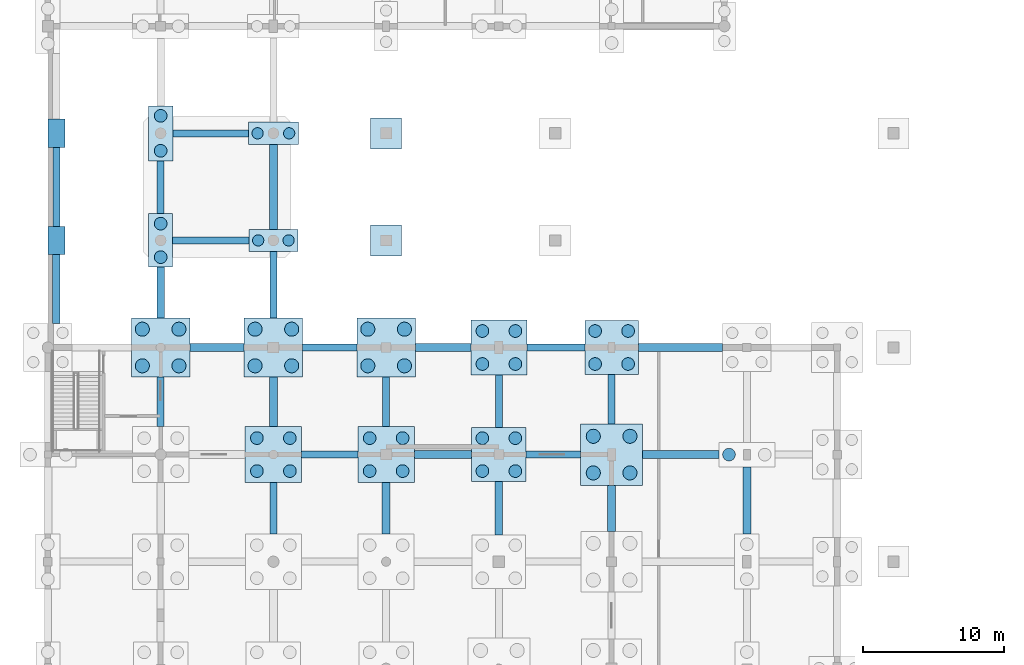
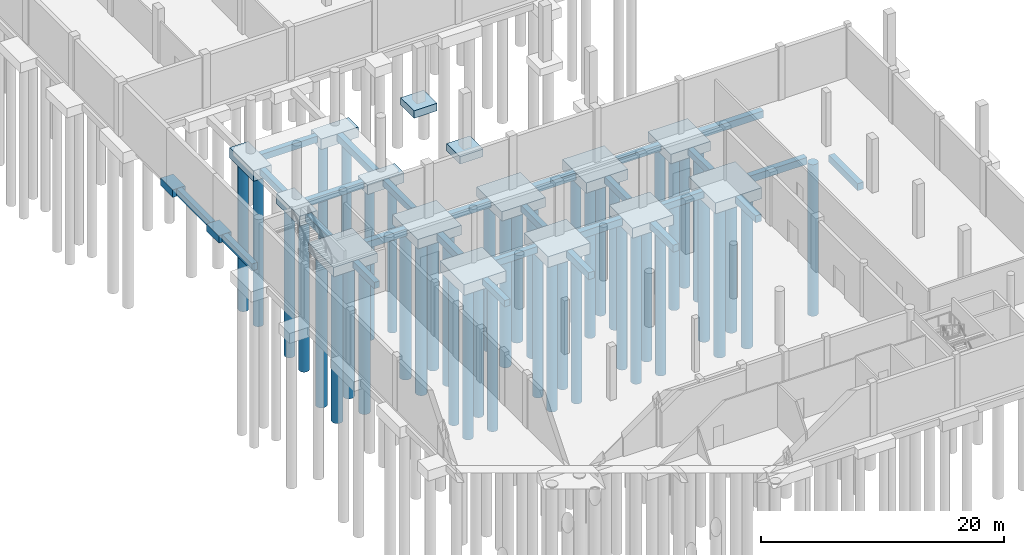
# One storey, part 4 of 44: 45 piles, 44 footings.
"""IFC4 building model written with IfcOpenShell, lengths in metres."""

from ifc_helpers import new_model, si_unit, direction, frame, origin, origin_2d, place, context, subcontext, project, spatial, polyline, circle, outline, extrude, material, material_profile, profile_set, type_object, element, save


model = new_model("IFC4")

# Units and contexts
model_context = context("Model", 3, precision=1e-05, world=origin(), true_north=direction((0.0, 1.0)))
body_context = subcontext(model_context, "Body", "Model", "MODEL_VIEW")
ifc_project = project(units=[si_unit("LENGTHUNIT", "METRE"), si_unit("AREAUNIT", "SQUARE_METRE"), si_unit("VOLUMEUNIT", "CUBIC_METRE"), si_unit("PLANEANGLEUNIT", "RADIAN"), si_unit("MASSUNIT", "GRAM", prefix="KILO")], contexts=[model_context])

# Site, building, storey
site_placement = place(None, origin())
site = spatial("IfcSite", under=ifc_project, at=site_placement, CompositionType="ELEMENT")
building_placement = place(site_placement, origin())
building = spatial("IfcBuilding", under=site, at=building_placement, Name="Khelvaren Railside Concert Hall", CompositionType="ELEMENT")
storey_placement = place(building_placement, frame((0.0, 0.0, -5.39990234375)))
storey = spatial("IfcBuildingStorey", under=building, at=storey_placement, Name="B1", CompositionType="ELEMENT", Elevation=-5.39990234375)

# Piles
ifc_material = material(Name="Concrete C35/45", Category="concrete")
ifc_material_profile_1 = material_profile(ifc_material, circle(Radius=0.449951171875, at=origin_2d()), Name="BP D900")
ifc_profile_set_1 = profile_set([ifc_material_profile_1], Name="Concrete C35/45")
pile_type_1 = type_object("IfcPileType", Name="BP51", PredefinedType="BORED", material=ifc_profile_set_1)
for number, where, z_axis, x_axis, name in (
    (1, (8.0, 52.010009765625, -1.400146484375), (0.0, 0.0, -1.0), (1.0, 0.0, 0.0), "Bored Pile BP51 PC-LB3-021-1"),
    (2, (8.0, 54.389892578125, -1.400146484375), (0.0, 0.0, -1.0), (1.0, 0.0, 0.0), "Bored Pile BP51 PC-LB3-021-2"),
):
    element("IfcPile", number, at=place(storey_placement, frame(where, z_axis=z_axis, x_axis=x_axis)), inside=storey, type_object=pile_type_1, Name=name, PredefinedType="BORED", context=body_context, shape_type="SweptSolid", body=[
        extrude(circle(Radius=0.449951171875, at=origin_2d()), origin(), (0.0, 0.0, 1.0), 15.199951171875),
    ])
for number, where, z_axis, x_axis, name in (
    (3, (8.0, 59.56005859375, -1.4501953125), (0.0, 0.0, -1.0), (1.0, 0.0, 0.0), "Bored Pile BP51 PC-LB3-022-1"),
    (4, (8.0, 62.0400390625, -1.4501953125), (0.0, 0.0, -1.0), (1.0, 0.0, 0.0), "Bored Pile BP51 PC-LB3-022-2"),
):
    element("IfcPile", number, at=place(storey_placement, frame(where, z_axis=z_axis, x_axis=x_axis)), inside=storey, type_object=pile_type_1, Name=name, PredefinedType="BORED", context=body_context, shape_type="SweptSolid", body=[
        extrude(circle(Radius=0.449951171875, at=origin_2d()), origin(), (0.0, 0.0, 1.0), 15.14990234375),
    ])
for number, where, z_axis, x_axis, name in (
    (5, (14.830078125, 36.830078125, -1.5), (0.0, 0.0, -1.0), (1.0, 0.0, 0.0), "Bored Pile BP51 PC-V1-035-1"),
    (6, (17.169921875, 36.830078125, -1.5), (0.0, 0.0, -1.0), (1.0, 0.0, 0.0), "Bored Pile BP51 PC-V1-035-2"),
    (7, (14.830078125, 39.169921875, -1.5), (0.0, 0.0, -1.0), (1.0, 0.0, 0.0), "Bored Pile BP51 PC-V1-035-3"),
    (8, (17.169921875, 39.169921875, -1.5), (0.0, 0.0, -1.0), (1.0, 0.0, 0.0), "Bored Pile BP51 PC-V1-035-4"),
    (9, (22.830078125, 36.830078125, -1.5), (0.0, 0.0, -1.0), (1.0, 0.0, 0.0), "Bored Pile BP51 PC-V1-051-1"),
    (10, (25.169921875, 36.830078125, -1.5), (0.0, 0.0, -1.0), (1.0, 0.0, 0.0), "Bored Pile BP51 PC-V1-051-2"),
    (11, (22.830078125, 39.169921875, -1.5), (0.0, 0.0, -1.0), (1.0, 0.0, 0.0), "Bored Pile BP51 PC-V1-051-3"),
    (12, (25.169921875, 39.169921875, -1.5), (0.0, 0.0, -1.0), (1.0, 0.0, 0.0), "Bored Pile BP51 PC-V1-051-4"),
):
    element("IfcPile", number, at=place(storey_placement, frame(where, z_axis=z_axis, x_axis=x_axis)), inside=storey, type_object=pile_type_1, Name=name, PredefinedType="BORED", context=body_context, shape_type="SweptSolid", body=[
        extrude(circle(Radius=0.449951171875, at=origin_2d()), origin(), (0.0, 0.0, 1.0), 15.10009765625),
    ])
for number, where, z_axis, x_axis, name in (
    (13, (30.830078125, 36.830078125, -1.400146484375), (0.0, 0.0, -1.0), (1.0, 0.0, 0.0), "Bored Pile BP51 PC-V1-065-1"),
    (14, (33.169921875, 36.830078125, -1.400146484375), (0.0, 0.0, -1.0), (1.0, 0.0, 0.0), "Bored Pile BP51 PC-V1-065-2"),
    (15, (30.830078125, 39.169921875, -1.400146484375), (0.0, 0.0, -1.0), (1.0, 0.0, 0.0), "Bored Pile BP51 PC-V1-065-3"),
    (16, (33.169921875, 39.169921875, -1.400146484375), (0.0, 0.0, -1.0), (1.0, 0.0, 0.0), "Bored Pile BP51 PC-V1-065-4"),
):
    element("IfcPile", number, at=place(storey_placement, frame(where, z_axis=z_axis, x_axis=x_axis)), inside=storey, type_object=pile_type_1, Name=name, PredefinedType="BORED", context=body_context, shape_type="SweptSolid", body=[
        extrude(circle(Radius=0.449951171875, at=origin_2d()), origin(), (0.0, 0.0, 1.0), 15.199951171875),
    ])
for number, where, z_axis, x_axis, name in (
    (17, (30.830078125, 44.429931640625, -1.4501953125), (0.0, 0.0, -1.0), (1.0, 0.0, 0.0), "Bored Pile BP51 PC-V1-066-1"),
    (18, (33.169921875, 44.429931640625, -1.4501953125), (0.0, 0.0, -1.0), (1.0, 0.0, 0.0), "Bored Pile BP51 PC-V1-066-2"),
    (19, (30.830078125, 46.77001953125, -1.4501953125), (0.0, 0.0, -1.0), (1.0, 0.0, 0.0), "Bored Pile BP51 PC-V1-066-3"),
    (20, (33.169921875, 46.77001953125, -1.4501953125), (0.0, 0.0, -1.0), (1.0, 0.0, 0.0), "Bored Pile BP51 PC-V1-066-4"),
):
    element("IfcPile", number, at=place(storey_placement, frame(where, z_axis=z_axis, x_axis=x_axis)), inside=storey, type_object=pile_type_1, Name=name, PredefinedType="BORED", context=body_context, shape_type="SweptSolid", body=[
        extrude(circle(Radius=0.449951171875, at=origin_2d()), origin(), (0.0, 0.0, 1.0), 15.14990234375),
    ])
for number, where, z_axis, x_axis, name in (
    (21, (38.830078125, 44.429931640625, -1.35009765625), (0.0, 0.0, -1.0), (1.0, 0.0, 0.0), "Bored Pile BP51 PC-V1-080-1"),
    (22, (41.169921875, 44.429931640625, -1.35009765625), (0.0, 0.0, -1.0), (1.0, 0.0, 0.0), "Bored Pile BP51 PC-V1-080-2"),
    (23, (38.830078125, 46.77001953125, -1.35009765625), (0.0, 0.0, -1.0), (1.0, 0.0, 0.0), "Bored Pile BP51 PC-V1-080-3"),
    (24, (41.169921875, 46.77001953125, -1.35009765625), (0.0, 0.0, -1.0), (1.0, 0.0, 0.0), "Bored Pile BP51 PC-V1-080-4"),
    (25, (48.330078125, 38.0, -1.35009765625), (0.0, 0.0, -1.0), (1.0, 0.0, 0.0), "Bored Pile BP51 PC-V1-100-1"),
):
    element("IfcPile", number, at=place(storey_placement, frame(where, z_axis=z_axis, x_axis=x_axis)), inside=storey, type_object=pile_type_1, Name=name, PredefinedType="BORED", context=body_context, shape_type="SweptSolid", body=[
        extrude(circle(Radius=0.449951171875, at=origin_2d()), origin(), (0.0, 0.0, 1.0), 15.25),
    ])
ifc_material_profile_2 = material_profile(ifc_material, circle(Radius=0.39990234375, at=origin_2d()), Name="BP D800")
ifc_profile_set_2 = profile_set([ifc_material_profile_2], Name="Concrete C35/45")
pile_type_2 = type_object("IfcPileType", Name="BP84", PredefinedType="BORED", material=ifc_profile_set_2)
for number, where, z_axis, x_axis, name in (
    (26, (14.919921875, 53.199951171875, -1.400146484375), (0.0, 0.0, -1.0), (1.0, 0.0, 0.0), "Bored Pile BP84 PC-LB3-037-1"),
    (27, (17.080078125, 53.199951171875, -1.400146484375), (0.0, 0.0, -1.0), (1.0, 0.0, 0.0), "Bored Pile BP84 PC-LB3-037-2"),
):
    element("IfcPile", number, at=place(storey_placement, frame(where, z_axis=z_axis, x_axis=x_axis)), inside=storey, type_object=pile_type_2, Name=name, PredefinedType="BORED", context=body_context, shape_type="SweptSolid", body=[
        extrude(circle(Radius=0.39990234375, at=origin_2d()), origin(), (0.0, 0.0, 1.0), 15.199951171875),
    ])
for number, where, z_axis, x_axis, name in (
    (28, (14.8798828125, 60.800048828125, -1.4501953125), (0.0, 0.0, -1.0), (1.0, 0.0, 0.0), "Bored Pile BP84 PC-LB3-038-1"),
    (29, (17.1201171875, 60.800048828125, -1.4501953125), (0.0, 0.0, -1.0), (1.0, 0.0, 0.0), "Bored Pile BP84 PC-LB3-038-2"),
):
    element("IfcPile", number, at=place(storey_placement, frame(where, z_axis=z_axis, x_axis=x_axis)), inside=storey, type_object=pile_type_2, Name=name, PredefinedType="BORED", context=body_context, shape_type="SweptSolid", body=[
        extrude(circle(Radius=0.39990234375, at=origin_2d()), origin(), (0.0, 0.0, 1.0), 15.14990234375),
    ])
ifc_material_profile_3 = material_profile(ifc_material, circle(Radius=0.5, at=origin_2d()), Name="BP D1000")
ifc_profile_set_3 = profile_set([ifc_material_profile_3], Name="Concrete C35/45")
pile_type_3 = type_object("IfcPileType", Name="BP88", PredefinedType="BORED", material=ifc_profile_set_3)
for number, where, z_axis, x_axis, name in (
    (30, (6.699951171875, 44.300048828125, -1.35009765625), (0.0, 0.0, -1.0), (1.0, 0.0, 0.0), "Bored Pile BP88 PC-V1-020-1"),
    (31, (9.300048828125, 44.300048828125, -1.35009765625), (0.0, 0.0, -1.0), (1.0, 0.0, 0.0), "Bored Pile BP88 PC-V1-020-2"),
    (32, (6.699951171875, 46.89990234375, -1.35009765625), (0.0, 0.0, -1.0), (1.0, 0.0, 0.0), "Bored Pile BP88 PC-V1-020-3"),
    (33, (9.300048828125, 46.89990234375, -1.35009765625), (0.0, 0.0, -1.0), (1.0, 0.0, 0.0), "Bored Pile BP88 PC-V1-020-4"),
    (34, (14.699951171875, 44.300048828125, -1.35009765625), (0.0, 0.0, -1.0), (1.0, 0.0, 0.0), "Bored Pile BP88 PC-V1-036-1"),
    (35, (17.300048828125, 44.300048828125, -1.35009765625), (0.0, 0.0, -1.0), (1.0, 0.0, 0.0), "Bored Pile BP88 PC-V1-036-2"),
    (36, (14.699951171875, 46.89990234375, -1.35009765625), (0.0, 0.0, -1.0), (1.0, 0.0, 0.0), "Bored Pile BP88 PC-V1-036-3"),
    (37, (17.300048828125, 46.89990234375, -1.35009765625), (0.0, 0.0, -1.0), (1.0, 0.0, 0.0), "Bored Pile BP88 PC-V1-036-4"),
    (38, (22.699951171875, 44.300048828125, -1.35009765625), (0.0, 0.0, -1.0), (1.0, 0.0, 0.0), "Bored Pile BP88 PC-V1-052-1"),
    (39, (25.300048828125, 44.300048828125, -1.35009765625), (0.0, 0.0, -1.0), (1.0, 0.0, 0.0), "Bored Pile BP88 PC-V1-052-2"),
    (40, (22.699951171875, 46.89990234375, -1.35009765625), (0.0, 0.0, -1.0), (1.0, 0.0, 0.0), "Bored Pile BP88 PC-V1-052-3"),
    (41, (25.300048828125, 46.89990234375, -1.35009765625), (0.0, 0.0, -1.0), (1.0, 0.0, 0.0), "Bored Pile BP88 PC-V1-052-4"),
):
    element("IfcPile", number, at=place(storey_placement, frame(where, z_axis=z_axis, x_axis=x_axis)), inside=storey, type_object=pile_type_3, Name=name, PredefinedType="BORED", context=body_context, shape_type="SweptSolid", body=[
        extrude(circle(Radius=0.5, at=origin_2d()), origin(), (0.0, 0.0, 1.0), 15.25),
    ])
for number, where, z_axis, x_axis, name in (
    (42, (38.699951171875, 36.699951171875, -1.5), (0.0, 0.0, -1.0), (1.0, 0.0, 0.0), "Bored Pile BP88 PC-V1-079-1"),
    (43, (41.300048828125, 36.699951171875, -1.5), (0.0, 0.0, -1.0), (1.0, 0.0, 0.0), "Bored Pile BP88 PC-V1-079-2"),
    (44, (38.699951171875, 39.300048828125, -1.5), (0.0, 0.0, -1.0), (1.0, 0.0, 0.0), "Bored Pile BP88 PC-V1-079-3"),
    (45, (41.300048828125, 39.300048828125, -1.5), (0.0, 0.0, -1.0), (1.0, 0.0, 0.0), "Bored Pile BP88 PC-V1-079-4"),
):
    element("IfcPile", number, at=place(storey_placement, frame(where, z_axis=z_axis, x_axis=x_axis)), inside=storey, type_object=pile_type_3, Name=name, PredefinedType="BORED", context=body_context, shape_type="SweptSolid", body=[
        extrude(circle(Radius=0.5, at=origin_2d()), origin(), (0.0, 0.0, 1.0), 15.10009765625),
    ])

# Footings
footing_type_1 = type_object("IfcFootingType", Name="GB49", PredefinedType="FOOTING_BEAM", material=ifc_material)
footing_1_placement = place(storey_placement, frame((0.0, 0.0, -1.150146484375)))
element("IfcFooting", 46, at=footing_1_placement, inside=storey, type_object=footing_type_1, Name="Ground Tie Beam GB49 107", PredefinedType="FOOTING_BEAM", context=body_context, shape_type="SweptSolid", body=[
    extrude(outline(polyline([(18.0, 37.75), (22.0, 37.75), (22.0, 38.25), (18.0, 38.25), (18.0, 37.75)])), origin(), (0.0, 0.0, 1.0), 0.650146484375),
])
footing_2_placement = place(storey_placement, frame((0.0, 0.0, -1.150146484375)))
element("IfcFooting", 47, at=footing_2_placement, inside=storey, type_object=footing_type_1, Name="Ground Tie Beam GB49 109", PredefinedType="FOOTING_BEAM", context=body_context, shape_type="SweptSolid", body=[
    extrude(outline(polyline([(33.93994140625, 37.75), (37.800048828125, 37.75), (37.800048828125, 38.25), (33.93994140625, 38.25), (33.93994140625, 37.75)])), origin(), (0.0, 0.0, 1.0), 0.650146484375),
])
footing_3_placement = place(storey_placement, frame((0.0, 0.0, -1.150146484375)))
element("IfcFooting", 48, at=footing_3_placement, inside=storey, type_object=footing_type_1, Name="Ground Tie Beam GB49 119", PredefinedType="FOOTING_BEAM", context=body_context, shape_type="SweptSolid", body=[
    extrude(outline(polyline([(18.080078125, 45.35009765625), (21.919921875, 45.35009765625), (21.919921875, 45.85009765625), (18.080078125, 45.85009765625), (18.080078125, 45.35009765625)])), origin(), (0.0, 0.0, 1.0), 0.650146484375),
])
footing_4_placement = place(storey_placement, frame((0.0, 0.0, -1.150146484375)))
element("IfcFooting", 49, at=footing_4_placement, inside=storey, type_object=footing_type_1, Name="Ground Tie Beam GB49 121", PredefinedType="FOOTING_BEAM", context=body_context, shape_type="SweptSolid", body=[
    extrude(outline(polyline([(33.97998046875, 45.35009765625), (38.10009765625, 45.35009765625), (38.10009765625, 45.85009765625), (33.97998046875, 45.85009765625), (33.97998046875, 45.35009765625)])), origin(), (0.0, 0.0, 1.0), 0.650146484375),
])
footing_5_placement = place(storey_placement, frame((0.0, 0.0, -1.150146484375)))
element("IfcFooting", 50, at=footing_5_placement, inside=storey, type_object=footing_type_1, Name="Ground Tie Beam GB49 125", PredefinedType="FOOTING_BEAM", context=body_context, shape_type="SweptSolid", body=[
    extrude(outline(polyline([(8.85009765625, 52.949951171875), (14.260009765625, 52.949951171875), (14.260009765625, 53.449951171875), (8.85009765625, 53.449951171875), (8.85009765625, 52.949951171875)])), origin(), (0.0, 0.0, 1.0), 0.650146484375),
])
footing_6_placement = place(storey_placement, frame((0.0, 0.0, -1.150146484375)))
element("IfcFooting", 51, at=footing_6_placement, inside=storey, type_object=footing_type_1, Name="Ground Tie Beam GB49 127", PredefinedType="FOOTING_BEAM", context=body_context, shape_type="SweptSolid", body=[
    extrude(outline(polyline([(8.875, 60.550048828125), (14.219970703125, 60.550048828125), (14.219970703125, 61.050048828125), (8.875, 61.050048828125), (8.875, 60.550048828125)])), origin(), (0.0, 0.0, 1.0), 0.650146484375),
])
footing_7_placement = place(storey_placement, frame((0.0, 0.0, -1.150146484375)))
element("IfcFooting", 52, at=footing_7_placement, inside=storey, type_object=footing_type_1, Name="Ground Tie Beam GB49 225", PredefinedType="FOOTING_BEAM", context=body_context, shape_type="SweptSolid", body=[
    extrude(outline(polyline([(7.75, 39.97998046875), (8.25, 39.97998046875), (8.25, 43.52001953125), (7.75, 43.52001953125), (7.75, 39.97998046875)])), origin(), (0.0, 0.0, 1.0), 0.650146484375),
])
footing_8_placement = place(storey_placement, frame((0.0, 0.0, -1.150146484375)))
element("IfcFooting", 53, at=footing_8_placement, inside=storey, type_object=footing_type_1, Name="Ground Tie Beam GB49 227", PredefinedType="FOOTING_BEAM", context=body_context, shape_type="SweptSolid", body=[
    extrude(outline(polyline([(7.75, 55.10009765625), (8.25, 55.10009765625), (8.25, 58.85009765625), (7.75, 58.85009765625), (7.75, 55.10009765625)])), origin(), (0.0, 0.0, 1.0), 0.650146484375),
])
footing_9_placement = place(storey_placement, frame((0.0, 0.0, -1.150146484375)))
element("IfcFooting", 54, at=footing_9_placement, inside=storey, type_object=footing_type_1, Name="Ground Tie Beam GB49 239", PredefinedType="FOOTING_BEAM", context=body_context, shape_type="SweptSolid", body=[
    extrude(outline(polyline([(15.75, 32.360107421875), (16.25, 32.360107421875), (16.25, 36.02001953125), (15.75, 36.02001953125), (15.75, 32.360107421875)])), origin(), (0.0, 0.0, 1.0), 0.650146484375),
])
footing_10_placement = place(storey_placement, frame((0.0, 0.0, -1.150146484375)))
element("IfcFooting", 55, at=footing_10_placement, inside=storey, type_object=footing_type_1, Name="Ground Tie Beam GB49 241", PredefinedType="FOOTING_BEAM", context=body_context, shape_type="SweptSolid", body=[
    extrude(outline(polyline([(15.75, 47.679931640625), (16.25, 47.679931640625), (16.25, 52.425048828125), (15.75, 52.425048828125), (15.75, 47.679931640625)])), origin(), (0.0, 0.0, 1.0), 0.650146484375),
])
footing_11_placement = place(storey_placement, frame((0.0, 0.0, -1.150146484375)))
element("IfcFooting", 56, at=footing_11_placement, inside=storey, type_object=footing_type_1, Name="Ground Tie Beam GB49 255", PredefinedType="FOOTING_BEAM", context=body_context, shape_type="SweptSolid", body=[
    extrude(outline(polyline([(23.75, 39.97998046875), (24.25, 39.97998046875), (24.25, 43.52001953125), (23.75, 43.52001953125), (23.75, 39.97998046875)])), origin(), (0.0, 0.0, 1.0), 0.650146484375),
])
footing_12_placement = place(storey_placement, frame((0.0, 0.0, -1.150146484375)))
element("IfcFooting", 57, at=footing_12_placement, inside=storey, type_object=footing_type_1, Name="Ground Tie Beam GB49 267", PredefinedType="FOOTING_BEAM", context=body_context, shape_type="SweptSolid", body=[
    extrude(outline(polyline([(31.75, 39.919921875), (32.25, 39.919921875), (32.25, 43.639892578125), (31.75, 43.639892578125), (31.75, 39.919921875)])), origin(), (0.0, 0.0, 1.0), 0.650146484375),
])
footing_13_placement = place(storey_placement, frame((0.0, 0.0, -1.150146484375)))
element("IfcFooting", 58, at=footing_13_placement, inside=storey, type_object=footing_type_1, Name="Ground Tie Beam GB49 279", PredefinedType="FOOTING_BEAM", context=body_context, shape_type="SweptSolid", body=[
    extrude(outline(polyline([(39.75, 40.179931640625), (40.25, 40.179931640625), (40.25, 43.699951171875), (39.75, 43.699951171875), (39.75, 40.179931640625)])), origin(), (0.0, 0.0, 1.0), 0.650146484375),
])
footing_14_placement = place(storey_placement, frame((0.0, 0.0, -1.150146484375)))
element("IfcFooting", 59, at=footing_14_placement, inside=storey, type_object=footing_type_1, Name="Ground Tie Beam GB49 419", PredefinedType="FOOTING_BEAM", context=body_context, shape_type="SweptSolid", body=[
    extrude(outline(polyline([(0.35009765625, 54.199951171875), (0.85009765625, 54.199951171875), (0.85009765625, 59.800048828125), (0.35009765625, 59.800048828125), (0.35009765625, 54.199951171875)])), origin(), (0.0, 0.0, 1.0), 0.650146484375),
])
footing_type_2 = type_object("IfcFootingType", Name="GB57", PredefinedType="FOOTING_BEAM", material=ifc_material)
footing_15_placement = place(storey_placement, frame((0.0, 0.0, -1.2001953125)))
element("IfcFooting", 60, at=footing_15_placement, inside=storey, type_object=footing_type_2, Name="Ground Tie Beam GB57 108", PredefinedType="FOOTING_BEAM", context=body_context, shape_type="SweptSolid", body=[
    extrude(outline(polyline([(26.0, 37.72509765625), (30.06005859375, 37.72509765625), (30.06005859375, 38.27490234375), (26.0, 38.27490234375), (26.0, 37.72509765625)])), origin(), (0.0, 0.0, 1.0), 0.7001953125),
])
footing_16_placement = place(storey_placement, frame((0.0, 0.0, -1.2001953125)))
element("IfcFooting", 61, at=footing_16_placement, inside=storey, type_object=footing_type_2, Name="Ground Tie Beam GB57 110", PredefinedType="FOOTING_BEAM", context=body_context, shape_type="SweptSolid", body=[
    extrude(outline(polyline([(42.199951171875, 37.72509765625), (47.6201171875, 37.72509765625), (47.6201171875, 38.27490234375), (42.199951171875, 38.27490234375), (42.199951171875, 37.72509765625)])), origin(), (0.0, 0.0, 1.0), 0.7001953125),
])
footing_17_placement = place(storey_placement, frame((0.0, 0.0, -1.2001953125)))
element("IfcFooting", 62, at=footing_17_placement, inside=storey, type_object=footing_type_2, Name="Ground Tie Beam GB57 118", PredefinedType="FOOTING_BEAM", context=body_context, shape_type="SweptSolid", body=[
    extrude(outline(polyline([(10.080078125, 45.324951171875), (13.919921875, 45.324951171875), (13.919921875, 45.875), (10.080078125, 45.875), (10.080078125, 45.324951171875)])), origin(), (0.0, 0.0, 1.0), 0.7001953125),
])
footing_18_placement = place(storey_placement, frame((0.0, 0.0, -1.2001953125)))
element("IfcFooting", 63, at=footing_18_placement, inside=storey, type_object=footing_type_2, Name="Ground Tie Beam GB57 120", PredefinedType="FOOTING_BEAM", context=body_context, shape_type="SweptSolid", body=[
    extrude(outline(polyline([(26.080078125, 45.324951171875), (30.02001953125, 45.324951171875), (30.02001953125, 45.875), (26.080078125, 45.875), (26.080078125, 45.324951171875)])), origin(), (0.0, 0.0, 1.0), 0.7001953125),
])
footing_19_placement = place(storey_placement, frame((0.0, 0.0, -1.2001953125)))
element("IfcFooting", 64, at=footing_19_placement, inside=storey, type_object=footing_type_2, Name="Ground Tie Beam GB57 122", PredefinedType="FOOTING_BEAM", context=body_context, shape_type="SweptSolid", body=[
    extrude(outline(polyline([(41.89990234375, 45.324951171875), (47.8798828125, 45.324951171875), (47.8798828125, 45.875), (41.89990234375, 45.875), (41.89990234375, 45.324951171875)])), origin(), (0.0, 0.0, 1.0), 0.7001953125),
])
footing_20_placement = place(storey_placement, frame((0.0, 0.0, -1.2001953125)))
element("IfcFooting", 65, at=footing_20_placement, inside=storey, type_object=footing_type_2, Name="Ground Tie Beam GB57 226", PredefinedType="FOOTING_BEAM", context=body_context, shape_type="SweptSolid", body=[
    extrude(outline(polyline([(7.72509765625, 47.679931640625), (8.27490234375, 47.679931640625), (8.27490234375, 51.300048828125), (7.72509765625, 51.300048828125), (7.72509765625, 47.679931640625)])), origin(), (0.0, 0.0, 1.0), 0.7001953125),
])
footing_21_placement = place(storey_placement, frame((0.0, 0.0, -1.2001953125)))
element("IfcFooting", 66, at=footing_21_placement, inside=storey, type_object=footing_type_2, Name="Ground Tie Beam GB57 240", PredefinedType="FOOTING_BEAM", context=body_context, shape_type="SweptSolid", body=[
    extrude(outline(polyline([(15.72509765625, 39.97998046875), (16.27490234375, 39.97998046875), (16.27490234375, 43.52001953125), (15.72509765625, 43.52001953125), (15.72509765625, 39.97998046875)])), origin(), (0.0, 0.0, 1.0), 0.7001953125),
])
footing_22_placement = place(storey_placement, frame((0.0, 0.0, -1.2001953125)))
element("IfcFooting", 67, at=footing_22_placement, inside=storey, type_object=footing_type_2, Name="Ground Tie Beam GB57 242", PredefinedType="FOOTING_BEAM", context=body_context, shape_type="SweptSolid", body=[
    extrude(outline(polyline([(15.72509765625, 53.97509765625), (16.27490234375, 53.97509765625), (16.27490234375, 60.0), (15.72509765625, 60.0), (15.72509765625, 53.97509765625)])), origin(), (0.0, 0.0, 1.0), 0.7001953125),
])
footing_23_placement = place(storey_placement, frame((0.0, 0.0, -1.2001953125)))
element("IfcFooting", 68, at=footing_23_placement, inside=storey, type_object=footing_type_2, Name="Ground Tie Beam GB57 254", PredefinedType="FOOTING_BEAM", context=body_context, shape_type="SweptSolid", body=[
    extrude(outline(polyline([(23.72509765625, 32.360107421875), (24.27490234375, 32.360107421875), (24.27490234375, 36.02001953125), (23.72509765625, 36.02001953125), (23.72509765625, 32.360107421875)])), origin(), (0.0, 0.0, 1.0), 0.7001953125),
])
footing_24_placement = place(storey_placement, frame((0.0, 0.0, -1.2001953125)))
element("IfcFooting", 69, at=footing_24_placement, inside=storey, type_object=footing_type_2, Name="Ground Tie Beam GB57 266", PredefinedType="FOOTING_BEAM", context=body_context, shape_type="SweptSolid", body=[
    extrude(outline(polyline([(31.72509765625, 32.300048828125), (32.27490234375, 32.300048828125), (32.27490234375, 36.080078125), (31.72509765625, 36.080078125), (31.72509765625, 32.300048828125)])), origin(), (0.0, 0.0, 1.0), 0.7001953125),
])
footing_25_placement = place(storey_placement, frame((0.0, 0.0, -1.2001953125)))
element("IfcFooting", 70, at=footing_25_placement, inside=storey, type_object=footing_type_2, Name="Ground Tie Beam GB57 278", PredefinedType="FOOTING_BEAM", context=body_context, shape_type="SweptSolid", body=[
    extrude(outline(polyline([(39.72509765625, 32.5400390625), (40.27490234375, 32.5400390625), (40.27490234375, 35.820068359375), (39.72509765625, 35.820068359375), (39.72509765625, 32.5400390625)])), origin(), (0.0, 0.0, 1.0), 0.7001953125),
])
footing_26_placement = place(storey_placement, frame((0.0, 0.0, -1.2001953125)))
element("IfcFooting", 71, at=footing_26_placement, inside=storey, type_object=footing_type_2, Name="Ground Tie Beam GB57 296", PredefinedType="FOOTING_BEAM", context=body_context, shape_type="SweptSolid", body=[
    extrude(outline(polyline([(49.324951171875, 32.35009765625), (49.875, 32.35009765625), (49.875, 37.125), (49.324951171875, 37.125), (49.324951171875, 32.35009765625)])), origin(), (0.0, 0.0, 1.0), 0.7001953125),
])
footing_27_placement = place(storey_placement, frame((0.0, 0.0, -1.2001953125)))
element("IfcFooting", 72, at=footing_27_placement, inside=storey, type_object=footing_type_2, Name="Ground Tie Beam GB57 418", PredefinedType="FOOTING_BEAM", context=body_context, shape_type="SweptSolid", body=[
    extrude(outline(polyline([(0.324951171875, 47.320068359375), (0.875, 47.320068359375), (0.875, 52.199951171875), (0.324951171875, 52.199951171875), (0.324951171875, 47.320068359375)])), origin(), (0.0, 0.0, 1.0), 0.7001953125),
])
footing_type_3 = type_object("IfcFootingType", Name="PC13", PredefinedType="PILE_CAP", material=ifc_material)
footing_28_placement = place(storey_placement, frame((0.0, 0.0, -1.550048828125)))
element("IfcFooting", 73, at=footing_28_placement, inside=storey, type_object=footing_type_3, Name="Pile Cap PC13 (32.0,45.6)", PredefinedType="PILE_CAP", context=body_context, shape_type="SweptSolid", body=[
    extrude(outline(polyline([(30.02001953125, 43.639892578125), (33.97998046875, 43.639892578125), (33.97998046875, 47.56005859375), (30.02001953125, 47.56005859375), (30.02001953125, 43.639892578125)])), origin(), (0.0, 0.0, 1.0), 1.050048828125),
])
footing_type_4 = type_object("IfcFootingType", Name="PC31", PredefinedType="PILE_CAP", material=ifc_material)
footing_29_placement = place(storey_placement, frame((0.0, 0.0, -1.4501953125)))
element("IfcFooting", 74, at=footing_29_placement, inside=storey, type_object=footing_type_4, Name="Pile Cap PC31 (40.0,45.6)", PredefinedType="PILE_CAP", context=body_context, shape_type="SweptSolid", body=[
    extrude(outline(polyline([(38.10009765625, 43.699951171875), (41.89990234375, 43.699951171875), (41.89990234375, 47.5), (38.10009765625, 47.5), (38.10009765625, 43.699951171875)])), origin(), (0.0, 0.0, 1.0), 0.9501953125),
])
footing_type_5 = type_object("IfcFootingType", Name="PC41", PredefinedType="PILE_CAP", material=ifc_material)
footing_30_placement = place(storey_placement, frame((0.0, 0.0, -1.550048828125)))
element("IfcFooting", 75, at=footing_30_placement, inside=storey, type_object=footing_type_5, Name="Pile Cap PC41 (8.0,60.8)", PredefinedType="PILE_CAP", context=body_context, shape_type="SweptSolid", body=[
    extrude(outline(polyline([(7.125, 58.85009765625), (8.875, 58.85009765625), (8.875, 62.75), (7.125, 62.75), (7.125, 58.85009765625)])), origin(), (0.0, 0.0, 1.0), 1.050048828125),
])
footing_type_6 = type_object("IfcFootingType", Name="PC51", PredefinedType="PILE_CAP", material=ifc_material)
footing_31_placement = place(storey_placement, frame((0.0, 0.0, -1.60009765625)))
element("IfcFooting", 76, at=footing_31_placement, inside=storey, type_object=footing_type_6, Name="Pile Cap PC51 (16.0,38.0)", PredefinedType="PILE_CAP", context=body_context, shape_type="SweptSolid", body=[
    extrude(outline(polyline([(14.0, 36.02001953125), (18.0, 36.02001953125), (18.0, 39.97998046875), (14.0, 39.97998046875), (14.0, 36.02001953125)])), origin(), (0.0, 0.0, 1.0), 1.10009765625),
])
footing_32_placement = place(storey_placement, frame((0.0, 0.0, -1.60009765625)))
element("IfcFooting", 77, at=footing_32_placement, inside=storey, type_object=footing_type_6, Name="Pile Cap PC51 (24.0,38.0)", PredefinedType="PILE_CAP", context=body_context, shape_type="SweptSolid", body=[
    extrude(outline(polyline([(22.0, 36.02001953125), (26.0, 36.02001953125), (26.0, 39.97998046875), (22.0, 39.97998046875), (22.0, 36.02001953125)])), origin(), (0.0, 0.0, 1.0), 1.10009765625),
])
footing_type_7 = type_object("IfcFootingType", Name="PC52", PredefinedType="PILE_CAP", material=ifc_material)
footing_33_placement = place(storey_placement, frame((0.0, 0.0, -1.4501953125)))
element("IfcFooting", 78, at=footing_33_placement, inside=storey, type_object=footing_type_7, Name="Pile Cap PC52 (8.0,45.6)", PredefinedType="PILE_CAP", context=body_context, shape_type="SweptSolid", body=[
    extrude(outline(polyline([(5.919921875, 43.52001953125), (10.080078125, 43.52001953125), (10.080078125, 47.679931640625), (5.919921875, 47.679931640625), (5.919921875, 43.52001953125)])), origin(), (0.0, 0.0, 1.0), 0.9501953125),
])
footing_34_placement = place(storey_placement, frame((0.0, 0.0, -1.4501953125)))
element("IfcFooting", 79, at=footing_34_placement, inside=storey, type_object=footing_type_7, Name="Pile Cap PC52 (16.0,45.6)", PredefinedType="PILE_CAP", context=body_context, shape_type="SweptSolid", body=[
    extrude(outline(polyline([(13.919921875, 43.52001953125), (18.080078125, 43.52001953125), (18.080078125, 47.679931640625), (13.919921875, 47.679931640625), (13.919921875, 43.52001953125)])), origin(), (0.0, 0.0, 1.0), 0.9501953125),
])
footing_35_placement = place(storey_placement, frame((0.0, 0.0, -1.4501953125)))
element("IfcFooting", 80, at=footing_35_placement, inside=storey, type_object=footing_type_7, Name="Pile Cap PC52 (24.0,45.6)", PredefinedType="PILE_CAP", context=body_context, shape_type="SweptSolid", body=[
    extrude(outline(polyline([(21.919921875, 43.52001953125), (26.080078125, 43.52001953125), (26.080078125, 47.679931640625), (21.919921875, 47.679931640625), (21.919921875, 43.52001953125)])), origin(), (0.0, 0.0, 1.0), 0.9501953125),
])
footing_type_8 = type_object("IfcFootingType", Name="PC63", PredefinedType="PILE_CAP", material=ifc_material)
footing_36_placement = place(storey_placement, frame((0.0, 0.0, -1.5)))
element("IfcFooting", 81, at=footing_36_placement, inside=storey, type_object=footing_type_8, Name="Pile Cap PC63 (32.0,38.0)", PredefinedType="PILE_CAP", context=body_context, shape_type="SweptSolid", body=[
    extrude(outline(polyline([(30.06005859375, 36.080078125), (33.93994140625, 36.080078125), (33.93994140625, 39.919921875), (30.06005859375, 39.919921875), (30.06005859375, 36.080078125)])), origin(), (0.0, 0.0, 1.0), 1.0),
])
footing_type_9 = type_object("IfcFootingType", Name="PC72", PredefinedType="PILE_CAP", material=ifc_material)
footing_37_placement = place(storey_placement, frame((0.0, 0.0, -1.5)))
element("IfcFooting", 82, at=footing_37_placement, inside=storey, type_object=footing_type_9, Name="Pile Cap PC72 (8.0,53.2)", PredefinedType="PILE_CAP", context=body_context, shape_type="SweptSolid", body=[
    extrude(outline(polyline([(7.14990234375, 51.300048828125), (8.85009765625, 51.300048828125), (8.85009765625, 55.10009765625), (7.14990234375, 55.10009765625), (7.14990234375, 51.300048828125)])), origin(), (0.0, 0.0, 1.0), 1.0),
])
footing_type_10 = type_object("IfcFootingType", Name="PC79", PredefinedType="PILE_CAP", material=ifc_material)
footing_38_placement = place(storey_placement, frame((0.0, 0.0, -1.60009765625)))
element("IfcFooting", 83, at=footing_38_placement, inside=storey, type_object=footing_type_10, Name="Pile Cap PC79 (40.0,38.0)", PredefinedType="PILE_CAP", context=body_context, shape_type="SweptSolid", body=[
    extrude(outline(polyline([(37.800048828125, 35.820068359375), (42.199951171875, 35.820068359375), (42.199951171875, 40.179931640625), (37.800048828125, 40.179931640625), (37.800048828125, 35.820068359375)])), origin(), (0.0, 0.0, 1.0), 1.10009765625),
])
footing_type_11 = type_object("IfcFootingType", Name="PC86", PredefinedType="PILE_CAP", material=ifc_material)
footing_39_placement = place(storey_placement, frame((0.0, 0.0, -1.550048828125)))
element("IfcFooting", 84, at=footing_39_placement, inside=storey, type_object=footing_type_11, Name="Pile Cap PC86 (16.0,60.8)", PredefinedType="PILE_CAP", context=body_context, shape_type="SweptSolid", body=[
    extrude(outline(polyline([(14.219970703125, 60.0), (17.780029296875, 60.0), (17.780029296875, 61.60009765625), (14.219970703125, 61.60009765625), (14.219970703125, 60.0)])), origin(), (0.0, 0.0, 1.0), 1.050048828125),
])
footing_type_12 = type_object("IfcFootingType", Name="PC93", PredefinedType="PILE_CAP", material=ifc_material)
footing_40_placement = place(storey_placement, frame((0.0, 0.0, -1.5)))
element("IfcFooting", 85, at=footing_40_placement, inside=storey, type_object=footing_type_12, Name="Pile Cap PC93 (16.0,53.2)", PredefinedType="PILE_CAP", context=body_context, shape_type="SweptSolid", body=[
    extrude(outline(polyline([(14.260009765625, 52.425048828125), (17.739990234375, 52.425048828125), (17.739990234375, 53.97509765625), (14.260009765625, 53.97509765625), (14.260009765625, 52.425048828125)])), origin(), (0.0, 0.0, 1.0), 1.0),
])
footing_type_13 = type_object("IfcFootingType", Name="PF31", PredefinedType="PAD_FOOTING", material=ifc_material)
footing_41_placement = place(storey_placement, frame((0.0, 0.0, -1.25)))
element("IfcFooting", 86, at=footing_41_placement, inside=storey, type_object=footing_type_13, Name="Pad Footing PF31 38", PredefinedType="PAD_FOOTING", context=body_context, shape_type="SweptSolid", body=[
    extrude(outline(polyline([(22.89990234375, 52.10009765625), (25.10009765625, 52.10009765625), (25.10009765625, 54.300048828125), (22.89990234375, 54.300048828125), (22.89990234375, 52.10009765625)])), origin(), (0.0, 0.0, 1.0), 0.75),
])
footing_42_placement = place(storey_placement, frame((0.0, 0.0, -1.25)))
element("IfcFooting", 87, at=footing_42_placement, inside=storey, type_object=footing_type_13, Name="Pad Footing PF31 40", PredefinedType="PAD_FOOTING", context=body_context, shape_type="SweptSolid", body=[
    extrude(outline(polyline([(22.89990234375, 59.699951171875), (25.10009765625, 59.699951171875), (25.10009765625, 61.89990234375), (22.89990234375, 61.89990234375), (22.89990234375, 59.699951171875)])), origin(), (0.0, 0.0, 1.0), 0.75),
])
footing_type_14 = type_object("IfcFootingType", Name="PF71", PredefinedType="PAD_FOOTING", material=ifc_material)
footing_43_placement = place(storey_placement, frame((0.0, 0.0, -1.25)))
element("IfcFooting", 88, at=footing_43_placement, inside=storey, type_object=footing_type_14, Name="Pad Footing PF71 18", PredefinedType="PAD_FOOTING", context=body_context, shape_type="SweptSolid", body=[
    extrude(outline(polyline([(0.0, 52.199951171875), (1.199951171875, 52.199951171875), (1.199951171875, 54.199951171875), (0.0, 54.199951171875), (0.0, 52.199951171875)])), origin(), (0.0, 0.0, 1.0), 0.75),
])
footing_44_placement = place(storey_placement, frame((0.0, 0.0, -1.25)))
element("IfcFooting", 89, at=footing_44_placement, inside=storey, type_object=footing_type_14, Name="Pad Footing PF71 19", PredefinedType="PAD_FOOTING", context=body_context, shape_type="SweptSolid", body=[
    extrude(outline(polyline([(0.0, 59.800048828125), (1.199951171875, 59.800048828125), (1.199951171875, 61.800048828125), (0.0, 61.800048828125), (0.0, 59.800048828125)])), origin(), (0.0, 0.0, 1.0), 0.75),
])

save(model, "model.ifc")
